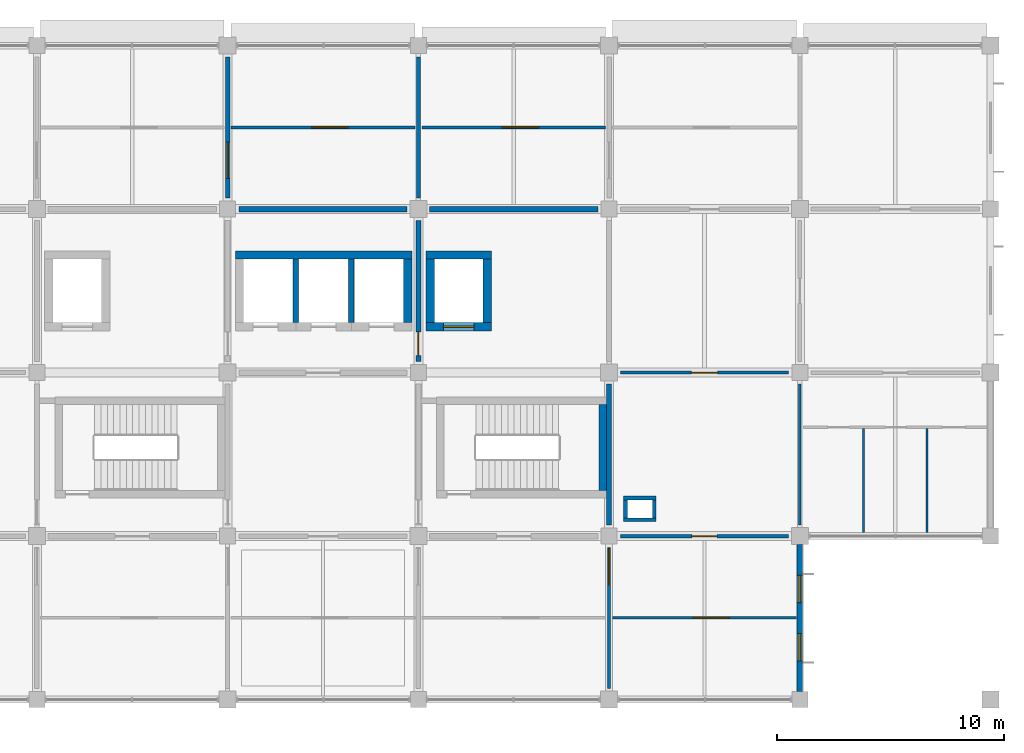
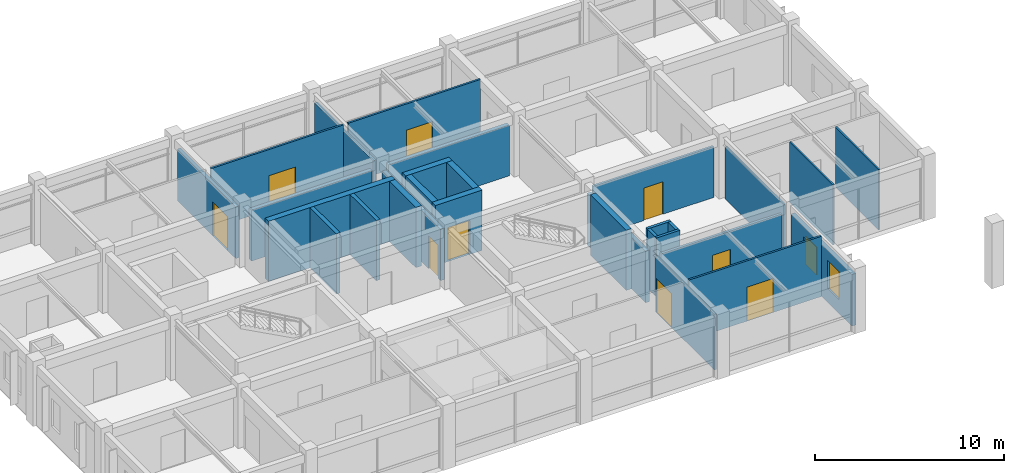
# One storey, part 10 of 13: 29 walls, 9 doors, 2 windows, 11 openings.
"""IFC4 building model written with IfcOpenShell, lengths in metres."""

from ifc_helpers import new_model, si_unit, derived_unit, direction, frame, frame_2d, origin, place, context, subcontext, project, spatial, rectangle, extrude, material, layer, layer_set, type_object, element, fill, save


model = new_model("IFC4")

# Units and contexts
model_context = context("Model", 3, precision=1e-05, world=origin(), true_north=direction((0.0, 1.0)))
body_context = subcontext(model_context, "Body", "Model", "MODEL_VIEW")
ifc_project = project(units=[si_unit("LENGTHUNIT", "METRE"), si_unit("AREAUNIT", "SQUARE_METRE"), si_unit("VOLUMEUNIT", "CUBIC_METRE"), si_unit("PLANEANGLEUNIT", "RADIAN"), si_unit("MASSUNIT", "GRAM", prefix="KILO"), derived_unit("THERMALTRANSMITTANCEUNIT", [(si_unit("MASSUNIT", "GRAM", prefix="KILO"), 1), (si_unit("TIMEUNIT", "SECOND"), -3), (si_unit("THERMODYNAMICTEMPERATUREUNIT", "KELVIN"), -1)])], contexts=[model_context])

# Site, building, storey
site_placement = place(None, origin())
site = spatial("IfcSite", under=ifc_project, at=site_placement, CompositionType="ELEMENT")
building_placement = place(site_placement, origin())
building = spatial("IfcBuilding", under=site, at=building_placement, Name="Veldstrom Oceanarium and Marine Research Institute", CompositionType="ELEMENT")
storey_placement = place(building_placement, frame((0.0, 0.0, 39.60009765625)))
storey = spatial("IfcBuildingStorey", under=building, at=storey_placement, Name="L08", CompositionType="ELEMENT", Elevation=39.60009765625)

# Wall, openings, windows
ifc_material_1 = material(Name="Masonry Cavity Wall", Category="masonry")
ifc_layer_1 = layer(ifc_material_1, 0.25)
ifc_layer_set_1 = layer_set([ifc_layer_1], Name="ARC-WAL-EW5")
wall_type_1 = type_object("IfcWallType", Name="ARC-WAL-EW5", PredefinedType="SOLIDWALL", material=ifc_layer_set_1)
wall_1_placement = place(storey_placement, frame((109.199951171875, 43.550048828125, 0.0), z_axis=(0.0, 0.0, 1.0), x_axis=(0.0, 1.0, 0.0)))
wall_1 = element("IfcWall", 1, at=wall_1_placement, inside=storey, type_object=wall_type_1, Name="Exterior Facade Wall EW5 L08-208", PredefinedType="SOLIDWALL", context=body_context, shape_type="SweptSolid", body=[
    extrude(rectangle(XDim=6.474853515625, YDim=0.25, at=frame_2d((3.2373046875, 0.0))), origin(), (0.0, 0.0, 1.0), 3.344970703125),
])
opening_1_placement = place(wall_1_placement, frame((1.3583984375, 0.0, 0.89990234375)))
opening_1 = element("IfcOpeningElement", 2, at=opening_1_placement, cuts=wall_1, Name="Opening W05", PredefinedType="OPENING", context=body_context, shape_type="SweptSolid", body=[
    extrude(rectangle(XDim=1.199951171875, YDim=1.800048828125, at=frame_2d((0.60009765625, 0.89990234375))), frame((0.0, 0.135009765625, 0.0), z_axis=(0.0, -1.0, 0.0), x_axis=(1.0, 0.0, 0.0)), (0.0, 0.0, 1.0), 0.27001953125),
])
opening_2_placement = place(wall_1_placement, frame((3.916748046875, 0.0, 0.89990234375)))
opening_2 = element("IfcOpeningElement", 3, at=opening_2_placement, cuts=wall_1, Name="Opening W05", PredefinedType="OPENING", context=body_context, shape_type="SweptSolid", body=[
    extrude(rectangle(XDim=1.199951171875, YDim=1.800048828125, at=frame_2d((0.60009765625, 0.89990234375))), frame((0.0, 0.135009765625, 0.0), z_axis=(0.0, -1.0, 0.0), x_axis=(1.0, 0.0, 0.0)), (0.0, 0.0, 1.0), 0.27001953125),
])
ifc_material_2 = material(Name="Double Glazed Low-E IGU", Category="glass")
window_type = type_object("IfcWindowType", Name="ARC-WIN-W05", PartitioningType="SINGLE_PANEL", PredefinedType="WINDOW", material=ifc_material_2)
window_1_placement = place(opening_1_placement, origin())
window_1 = element("IfcWindow", 4, at=window_1_placement, inside=storey, type_object=window_type, Name="Facade Window W05 L08-0183", OverallHeight=1.800048828125, OverallWidth=1.199951171875, PartitioningType="SINGLE_PANEL", PredefinedType="WINDOW", context=body_context, shape_type="SweptSolid", body=[
    extrude(rectangle(XDim=1.199951171875, YDim=1.800048828125, at=frame_2d((0.60009765625, 0.89990234375))), frame((0.0, 0.030029296875, 0.0), z_axis=(0.0, -1.0, 0.0), x_axis=(1.0, 0.0, 0.0)), (0.0, 0.0, 1.0), 0.06005859375),
])
fill(opening_1, window_1)
window_2_placement = place(opening_2_placement, origin())
window_2 = element("IfcWindow", 5, at=window_2_placement, inside=storey, type_object=window_type, Name="Facade Window W05 L08-0184", OverallHeight=1.800048828125, OverallWidth=1.199951171875, PartitioningType="SINGLE_PANEL", PredefinedType="WINDOW", context=body_context, shape_type="SweptSolid", body=[
    extrude(rectangle(XDim=1.199951171875, YDim=1.800048828125, at=frame_2d((0.60009765625, 0.89990234375))), frame((0.0, 0.030029296875, 0.0), z_axis=(0.0, -1.0, 0.0), x_axis=(1.0, 0.0, 0.0)), (0.0, 0.0, 1.0), 0.06005859375),
])
fill(opening_2, window_2)

# Wall, opening, door
ifc_material_3 = material(Name="Masonry Fire Compartment Wall", Category="masonry")
ifc_layer_2 = layer(ifc_material_3, 0.22998046875)
ifc_layer_set_2 = layer_set([ifc_layer_2], Name="ARC-WAL-PT1")
wall_type_2 = type_object("IfcWallType", Name="ARC-WAL-PT1", PredefinedType="PARTITIONING", material=ifc_layer_set_2)
wall_2_placement = place(storey_placement, frame((92.39990234375, 58.10009765625, 0.0), z_axis=(0.0, 0.0, 1.0), x_axis=(0.0, 1.0, 0.0)))
wall_2 = element("IfcWall", 6, at=wall_2_placement, inside=storey, type_object=wall_type_2, Name="Interior Partition PT1 L08-1584", PredefinedType="PARTITIONING", context=body_context, shape_type="SweptSolid", body=[
    extrude(rectangle(XDim=6.199951171875, YDim=0.22998046875, at=frame_2d((3.10009765625, 0.0))), origin(), (0.0, 0.0, 1.0), 3.344970703125),
])
opening_3_placement = place(wall_2_placement, frame((0.25, 0.0, 0.0)))
opening_3 = element("IfcOpeningElement", 7, at=opening_3_placement, cuts=wall_2, Name="Opening D-L08-964", PredefinedType="OPENING", context=body_context, shape_type="SweptSolid", body=[
    extrude(rectangle(XDim=1.050048828125, YDim=2.14990234375, at=frame_2d((0.52490234375, 1.074951171875))), frame((0.0, 0.125, 0.0), z_axis=(0.0, -1.0, 0.0), x_axis=(1.0, 0.0, 0.0)), (0.0, 0.0, 1.0), 0.25),
])
ifc_material_4 = material(Name="Painted Steel Fire Door", Category="steel")
door_type_1 = type_object("IfcDoorType", Name="ARC-DOR-SD1", OperationType="SINGLE_SWING_LEFT", PredefinedType="DOOR", material=ifc_material_4)
door_1_placement = place(opening_3_placement, frame((1.050048828125, 0.0, 0.0), z_axis=(0.0, 0.0, 1.0), x_axis=(-1.0, 0.0, 0.0)))
door_1 = element("IfcDoor", 8, at=door_1_placement, inside=storey, type_object=door_type_1, Name="Interior Door D-L08-964", OperationType="SINGLE_SWING_RIGHT", OverallHeight=2.14990234375, OverallWidth=1.050048828125, PredefinedType="DOOR", context=body_context, shape_type="SweptSolid", body=[
    extrude(rectangle(XDim=1.050048828125, YDim=2.14990234375, at=frame_2d((0.52490234375, 1.074951171875))), frame((0.0, 0.02490234375, 0.0), z_axis=(0.0, -1.0, 0.0), x_axis=(1.0, 0.0, 0.0)), (0.0, 0.0, 1.0), 0.050048828125),
])
fill(opening_3, door_1)

# Walls
wall_3_placement = place(storey_placement, frame((84.5, 64.800048828125, 0.0), z_axis=(0.0, 0.0, 1.0), x_axis=(1.0, 0.0, 0.0)))
element("IfcWall", 9, at=wall_3_placement, inside=storey, type_object=wall_type_2, Name="Interior Partition PT1 L08-1585", PredefinedType="PARTITIONING", context=body_context, shape_type="SweptSolid", body=[
    extrude(rectangle(XDim=7.39990234375, YDim=0.22998046875, at=frame_2d((3.699951171875, 0.0))), origin(), (0.0, 0.0, 1.0), 3.294921875),
])
wall_4_placement = place(storey_placement, frame((100.800048828125, 50.89990234375, 0.0), z_axis=(0.0, 0.0, 1.0), x_axis=(0.0, 1.0, 0.0)))
element("IfcWall", 10, at=wall_4_placement, inside=storey, type_object=wall_type_2, Name="Interior Partition PT1 L08-1589", PredefinedType="PARTITIONING", context=body_context, shape_type="SweptSolid", body=[
    extrude(rectangle(XDim=6.2001953125, YDim=0.22998046875, at=frame_2d((3.10009765625, 0.0))), origin(), (0.0, 0.0, 1.0), 3.344970703125),
])
wall_5_placement = place(storey_placement, frame((92.89990234375, 64.800048828125, 0.0), z_axis=(0.0, 0.0, 1.0), x_axis=(1.0, 0.0, 0.0)))
element("IfcWall", 11, at=wall_5_placement, inside=storey, type_object=wall_type_2, Name="Interior Partition PT1 L08-1592", PredefinedType="PARTITIONING", context=body_context, shape_type="SweptSolid", body=[
    extrude(rectangle(XDim=7.400146484375, YDim=0.22998046875, at=frame_2d((3.7001953125, 0.0))), origin(), (0.0, 0.0, 1.0), 3.294921875),
])

# Wall, opening, door
ifc_material_5 = material(Name="Gypsum Acoustic Lab Partition", Category="gypsum")
ifc_layer_3 = layer(ifc_material_5, 0.1201171875)
ifc_layer_set_3 = layer_set([ifc_layer_3], Name="ARC-WAL-PT10")
wall_type_3 = type_object("IfcWallType", Name="ARC-WAL-PT10", PredefinedType="PARTITIONING", material=ifc_layer_set_3)
wall_6_placement = place(storey_placement, frame((100.949951171875, 46.800048828125, 0.0), z_axis=(0.0, 0.0, 1.0), x_axis=(1.0, 0.0, 0.0)))
wall_6 = element("IfcWall", 12, at=wall_6_placement, inside=storey, type_object=wall_type_3, Name="Laboratory Suite Partition L08-12/6", PredefinedType="PARTITIONING", context=body_context, shape_type="SweptSolid", body=[
    extrude(rectangle(XDim=8.10009765625, YDim=0.1201171875, at=frame_2d((4.050048828125, 0.0))), origin(), (0.0, 0.0, 1.0), 3.89990234375),
])
opening_4_placement = place(wall_6_placement, frame((3.550048828125, 0.0, 0.0)))
opening_4 = element("IfcOpeningElement", 13, at=opening_4_placement, cuts=wall_6, Name="Opening D-L08-S944", PredefinedType="OPENING", context=body_context, shape_type="SweptSolid", body=[
    extrude(rectangle(XDim=1.60009765625, YDim=2.199951171875, at=frame_2d((0.800048828125, 1.10009765625))), frame((0.0, 0.070068359375, 0.0), z_axis=(0.0, -1.0, 0.0), x_axis=(1.0, 0.0, 0.0)), (0.0, 0.0, 1.0), 0.14013671875),
])
ifc_material_6 = material(Name="Acoustic Timber Corridor Door", Category="wood")
door_type_2 = type_object("IfcDoorType", Name="ARC-DOR-ID02", OperationType="DOUBLE_DOOR_SINGLE_SWING", PredefinedType="DOOR", material=ifc_material_6)
door_2_placement = place(opening_4_placement, frame((1.60009765625, 0.0, 0.0), z_axis=(0.0, 0.0, 1.0), x_axis=(-1.0, 0.0, 0.0)))
door_2 = element("IfcDoor", 14, at=door_2_placement, inside=storey, type_object=door_type_2, Name="Suite Interior Door D-L08-S944", OperationType="SINGLE_SWING_RIGHT", OverallHeight=2.199951171875, OverallWidth=1.60009765625, PredefinedType="DOOR", context=body_context, shape_type="SweptSolid", body=[
    extrude(rectangle(XDim=1.60009765625, YDim=2.199951171875, at=frame_2d((0.800048828125, 1.10009765625))), frame((0.0, 0.02490234375, 0.0), z_axis=(0.0, -1.0, 0.0), x_axis=(1.0, 0.0, 0.0)), (0.0, 0.0, 1.0), 0.050048828125),
])
fill(opening_4, door_2)

wall_7_placement = place(storey_placement, frame((84.14990234375, 68.39990234375, 0.0), z_axis=(0.0, 0.0, 1.0), x_axis=(1.0, 0.0, 0.0)))
wall_7 = element("IfcWall", 15, at=wall_7_placement, inside=storey, type_object=wall_type_3, Name="Laboratory Suite Partition L08-10/9", PredefinedType="PARTITIONING", context=body_context, shape_type="SweptSolid", body=[
    extrude(rectangle(XDim=8.10009765625, YDim=0.1201171875, at=frame_2d((4.050048828125, 0.0))), origin(), (0.0, 0.0, 1.0), 3.89990234375),
])
opening_5_placement = place(wall_7_placement, frame((3.550048828125, 0.0, 0.0)))
opening_5 = element("IfcOpeningElement", 16, at=opening_5_placement, cuts=wall_7, Name="Opening D-L08-S946", PredefinedType="OPENING", context=body_context, shape_type="SweptSolid", body=[
    extrude(rectangle(XDim=1.60009765625, YDim=2.199951171875, at=frame_2d((0.800048828125, 1.10009765625))), frame((0.0, 0.070068359375, 0.0), z_axis=(0.0, -1.0, 0.0), x_axis=(1.0, 0.0, 0.0)), (0.0, 0.0, 1.0), 0.14013671875),
])
door_3_placement = place(opening_5_placement, origin())
door_3 = element("IfcDoor", 17, at=door_3_placement, inside=storey, type_object=door_type_2, Name="Suite Interior Door D-L08-S946", OperationType="SINGLE_SWING_LEFT", OverallHeight=2.199951171875, OverallWidth=1.60009765625, PredefinedType="DOOR", context=body_context, shape_type="SweptSolid", body=[
    extrude(rectangle(XDim=1.60009765625, YDim=2.199951171875, at=frame_2d((0.800048828125, 1.10009765625))), frame((0.0, 0.02490234375, 0.0), z_axis=(0.0, -1.0, 0.0), x_axis=(1.0, 0.0, 0.0)), (0.0, 0.0, 1.0), 0.050048828125),
])
fill(opening_5, door_3)

wall_8_placement = place(storey_placement, frame((92.550048828125, 68.39990234375, 0.0), z_axis=(0.0, 0.0, 1.0), x_axis=(1.0, 0.0, 0.0)))
wall_8 = element("IfcWall", 18, at=wall_8_placement, inside=storey, type_object=wall_type_3, Name="Laboratory Suite Partition L08-11/9", PredefinedType="PARTITIONING", context=body_context, shape_type="SweptSolid", body=[
    extrude(rectangle(XDim=8.099853515625, YDim=0.1201171875, at=frame_2d((4.0498046875, 0.0))), origin(), (0.0, 0.0, 1.0), 3.89990234375),
])
opening_6_placement = place(wall_8_placement, frame((3.550048828125, 0.0, 0.0)))
opening_6 = element("IfcOpeningElement", 19, at=opening_6_placement, cuts=wall_8, Name="Opening D-L08-S947", PredefinedType="OPENING", context=body_context, shape_type="SweptSolid", body=[
    extrude(rectangle(XDim=1.60009765625, YDim=2.199951171875, at=frame_2d((0.800048828125, 1.10009765625))), frame((0.0, 0.070068359375, 0.0), z_axis=(0.0, -1.0, 0.0), x_axis=(1.0, 0.0, 0.0)), (0.0, 0.0, 1.0), 0.14013671875),
])
door_4_placement = place(opening_6_placement, origin())
door_4 = element("IfcDoor", 20, at=door_4_placement, inside=storey, type_object=door_type_2, Name="Suite Interior Door D-L08-S947", OperationType="SINGLE_SWING_RIGHT", OverallHeight=2.199951171875, OverallWidth=1.60009765625, PredefinedType="DOOR", context=body_context, shape_type="SweptSolid", body=[
    extrude(rectangle(XDim=1.60009765625, YDim=2.199951171875, at=frame_2d((0.800048828125, 1.10009765625))), frame((0.0, 0.02490234375, 0.0), z_axis=(0.0, -1.0, 0.0), x_axis=(1.0, 0.0, 0.0)), (0.0, 0.0, 1.0), 0.050048828125),
])
fill(opening_6, door_4)

ifc_material_7 = material(Name="Masonry Acoustic Lab Partition", Category="masonry")
ifc_layer_4 = layer(ifc_material_7, 0.205078125)
ifc_layer_set_4 = layer_set([ifc_layer_4], Name="ARC-WAL-PT2")
wall_type_4 = type_object("IfcWallType", Name="ARC-WAL-PT2", PredefinedType="PARTITIONING", material=ifc_layer_set_4)
wall_9_placement = place(storey_placement, frame((84.0, 65.300048828125, 0.0), z_axis=(0.0, 0.0, 1.0), x_axis=(0.0, 1.0, 0.0)))
wall_9 = element("IfcWall", 21, at=wall_9_placement, inside=storey, type_object=wall_type_4, Name="Interior Partition PT2 L08-1579", PredefinedType="PARTITIONING", context=body_context, shape_type="SweptSolid", body=[
    extrude(rectangle(XDim=6.199951171875, YDim=0.205078125, at=frame_2d((3.10009765625, 0.0))), origin(), (0.0, 0.0, 1.0), 3.344970703125),
])
opening_7_placement = place(wall_9_placement, frame((0.85009765625, 0.0, 0.0)))
opening_7 = element("IfcOpeningElement", 22, at=opening_7_placement, cuts=wall_9, Name="Opening D-L08-959", PredefinedType="OPENING", context=body_context, shape_type="SweptSolid", body=[
    extrude(rectangle(XDim=1.60009765625, YDim=2.199951171875, at=frame_2d((0.800048828125, 1.10009765625))), frame((0.0, 0.112548828125, 0.0), z_axis=(0.0, -1.0, 0.0), x_axis=(1.0, 0.0, 0.0)), (0.0, 0.0, 1.0), 0.22509765625),
])
door_5_placement = place(opening_7_placement, frame((1.60009765625, 0.0, 0.0), z_axis=(0.0, 0.0, 1.0), x_axis=(-1.0, 0.0, 0.0)))
door_5 = element("IfcDoor", 23, at=door_5_placement, inside=storey, type_object=door_type_2, Name="Interior Door D-L08-959", OperationType="DOUBLE_DOOR_SINGLE_SWING", OverallHeight=2.199951171875, OverallWidth=1.60009765625, PredefinedType="DOOR", context=body_context, shape_type="SweptSolid", body=[
    extrude(rectangle(XDim=1.60009765625, YDim=2.199951171875, at=frame_2d((0.800048828125, 1.10009765625))), frame((0.0, 0.02490234375, 0.0), z_axis=(0.0, -1.0, 0.0), x_axis=(1.0, 0.0, 0.0)), (0.0, 0.0, 1.0), 0.050048828125),
])
fill(opening_7, door_5)

# Wall
ifc_material_8 = material(Name="Drywall Acoustic Partition", Category="gypsum")
ifc_layer_5 = layer(ifc_material_8, 0.175048828125)
ifc_layer_set_5 = layer_set([ifc_layer_5], Name="ARC-WAL-PT3")
wall_type_5 = type_object("IfcWallType", Name="ARC-WAL-PT3", PredefinedType="PARTITIONING", material=ifc_layer_set_5)
wall_10_placement = place(storey_placement, frame((92.39990234375, 65.300048828125, 0.0), z_axis=(0.0, 0.0, 1.0), x_axis=(0.0, 1.0, 0.0)))
element("IfcWall", 24, at=wall_10_placement, inside=storey, type_object=wall_type_5, Name="Interior Partition PT3 L08-1586", PredefinedType="PARTITIONING", context=body_context, shape_type="SweptSolid", body=[
    extrude(rectangle(XDim=6.199951171875, YDim=0.175048828125, at=frame_2d((3.10009765625, 0.0))), origin(), (0.0, 0.0, 1.0), 3.39501953125),
])

# Wall, opening, door
ifc_material_9 = material(Name="Drywall Corridor Partition", Category="gypsum")
ifc_layer_6 = layer(ifc_material_9, 0.155029296875)
ifc_layer_set_6 = layer_set([ifc_layer_6], Name="ARC-WAL-PT4")
wall_type_6 = type_object("IfcWallType", Name="ARC-WAL-PT4", PredefinedType="PARTITIONING", material=ifc_layer_set_6)
wall_11_placement = place(storey_placement, frame((101.300048828125, 50.39990234375, 0.0), z_axis=(0.0, 0.0, 1.0), x_axis=(1.0, 0.0, 0.0)))
wall_11 = element("IfcWall", 25, at=wall_11_placement, inside=storey, type_object=wall_type_6, Name="Interior Partition PT4 L08-1594", PredefinedType="PARTITIONING", context=body_context, shape_type="SweptSolid", body=[
    extrude(rectangle(XDim=7.39990234375, YDim=0.155029296875, at=frame_2d((3.699951171875, 0.0))), origin(), (0.0, 0.0, 1.0), 3.294921875),
])
opening_8_placement = place(wall_11_placement, frame((3.14990234375, 0.0, 0.0)))
opening_8 = element("IfcOpeningElement", 26, at=opening_8_placement, cuts=wall_11, Name="Opening D-L08-968", PredefinedType="OPENING", context=body_context, shape_type="SweptSolid", body=[
    extrude(rectangle(XDim=1.10009765625, YDim=2.10009765625, at=frame_2d((0.550048828125, 1.050048828125))), frame((0.0, 0.08740234375, 0.0), z_axis=(0.0, -1.0, 0.0), x_axis=(1.0, 0.0, 0.0)), (0.0, 0.0, 1.0), 0.175048828125),
])
ifc_material_10 = material(Name="Research Office Door", Category="timber")
door_type_3 = type_object("IfcDoorType", Name="ARC-DOR-ID07", OperationType="SINGLE_SWING_LEFT", PredefinedType="DOOR", material=ifc_material_10)
door_6_placement = place(opening_8_placement, origin())
door_6 = element("IfcDoor", 27, at=door_6_placement, inside=storey, type_object=door_type_3, Name="Interior Door D-L08-968", OperationType="SINGLE_SWING_LEFT", OverallHeight=2.10009765625, OverallWidth=1.10009765625, PredefinedType="DOOR", context=body_context, shape_type="SweptSolid", body=[
    extrude(rectangle(XDim=1.10009765625, YDim=2.10009765625, at=frame_2d((0.550048828125, 1.050048828125))), frame((0.0, 0.02490234375, 0.0), z_axis=(0.0, -1.0, 0.0), x_axis=(1.0, 0.0, 0.0)), (0.0, 0.0, 1.0), 0.050048828125),
])
fill(opening_8, door_6)

ifc_material_11 = material(Name="Moisture-Resistant Wet-Area Partition", Category="masonry")
ifc_layer_7 = layer(ifc_material_11, 0.139892578125)
ifc_layer_set_7 = layer_set([ifc_layer_7], Name="ARC-WAL-PT5")
wall_type_7 = type_object("IfcWallType", Name="ARC-WAL-PT5", PredefinedType="PARTITIONING", material=ifc_layer_set_7)
wall_12_placement = place(storey_placement, frame((100.800048828125, 43.699951171875, 0.0), z_axis=(0.0, 0.0, 1.0), x_axis=(0.0, 1.0, 0.0)))
wall_12 = element("IfcWall", 28, at=wall_12_placement, inside=storey, type_object=wall_type_7, Name="Interior Partition PT5 L08-1587", PredefinedType="PARTITIONING", context=body_context, shape_type="SweptSolid", body=[
    extrude(rectangle(XDim=6.199951171875, YDim=0.139892578125, at=frame_2d((3.10009765625, 0.0))), origin(), (0.0, 0.0, 1.0), 3.60498046875),
])
opening_9_placement = place(wall_12_placement, frame((4.550048828125, 0.0, 0.0)))
opening_9 = element("IfcOpeningElement", 29, at=opening_9_placement, cuts=wall_12, Name="Opening D-L08-965", PredefinedType="OPENING", context=body_context, shape_type="SweptSolid", body=[
    extrude(rectangle(XDim=1.60009765625, YDim=2.199951171875, at=frame_2d((0.800048828125, 1.10009765625))), frame((0.0, 0.079833984375, 0.0), z_axis=(0.0, -1.0, 0.0), x_axis=(1.0, 0.0, 0.0)), (0.0, 0.0, 1.0), 0.159912109375),
])
door_7_placement = place(opening_9_placement, origin())
door_7 = element("IfcDoor", 30, at=door_7_placement, inside=storey, type_object=door_type_2, Name="Interior Door D-L08-965", OperationType="DOUBLE_DOOR_SINGLE_SWING", OverallHeight=2.199951171875, OverallWidth=1.60009765625, PredefinedType="DOOR", context=body_context, shape_type="SweptSolid", body=[
    extrude(rectangle(XDim=1.60009765625, YDim=2.199951171875, at=frame_2d((0.800048828125, 1.10009765625))), frame((0.0, 0.02490234375, 0.0), z_axis=(0.0, -1.0, 0.0), x_axis=(1.0, 0.0, 0.0)), (0.0, 0.0, 1.0), 0.050048828125),
])
fill(opening_9, door_7)

wall_13_placement = place(storey_placement, frame((101.300048828125, 57.60009765625, 0.0), z_axis=(0.0, 0.0, 1.0), x_axis=(1.0, 0.0, 0.0)))
wall_13 = element("IfcWall", 31, at=wall_13_placement, inside=storey, type_object=wall_type_7, Name="Interior Partition PT5 L08-1596", PredefinedType="PARTITIONING", context=body_context, shape_type="SweptSolid", body=[
    extrude(rectangle(XDim=7.39990234375, YDim=0.139892578125, at=frame_2d((3.699951171875, 0.0))), origin(), (0.0, 0.0, 1.0), 3.294921875),
])
opening_10_placement = place(wall_13_placement, frame((3.125, 0.0, 0.0)))
opening_10 = element("IfcOpeningElement", 32, at=opening_10_placement, cuts=wall_13, Name="Opening D-L08-969", PredefinedType="OPENING", context=body_context, shape_type="SweptSolid", body=[
    extrude(rectangle(XDim=1.14990234375, YDim=2.10009765625, at=frame_2d((0.574951171875, 1.050048828125))), frame((0.0, 0.079833984375, 0.0), z_axis=(0.0, -1.0, 0.0), x_axis=(1.0, 0.0, 0.0)), (0.0, 0.0, 1.0), 0.159912109375),
])
ifc_material_12 = material(Name="Fellows Studio Door", Category="timber")
door_type_4 = type_object("IfcDoorType", Name="ARC-DOR-ID17", OperationType="SINGLE_SWING_LEFT", PredefinedType="DOOR", material=ifc_material_12)
door_8_placement = place(opening_10_placement, frame((1.14990234375, 0.0, 0.0), z_axis=(0.0, 0.0, 1.0), x_axis=(-1.0, 0.0, 0.0)))
door_8 = element("IfcDoor", 33, at=door_8_placement, inside=storey, type_object=door_type_4, Name="Interior Door D-L08-969", OperationType="SINGLE_SWING_LEFT", OverallHeight=2.10009765625, OverallWidth=1.14990234375, PredefinedType="DOOR", context=body_context, shape_type="SweptSolid", body=[
    extrude(rectangle(XDim=1.14990234375, YDim=2.10009765625, at=frame_2d((0.574951171875, 1.050048828125))), frame((0.0, 0.02490234375, 0.0), z_axis=(0.0, -1.0, 0.0), x_axis=(1.0, 0.0, 0.0)), (0.0, 0.0, 1.0), 0.050048828125),
])
fill(opening_10, door_8)

# Walls
ifc_material_13 = material(Name="Lightweight Studio Partition", Category="gypsum")
ifc_layer_8 = layer(ifc_material_13, 0.1201171875)
ifc_layer_set_8 = layer_set([ifc_layer_8], Name="ARC-WAL-PT6")
wall_type_8 = type_object("IfcWallType", Name="ARC-WAL-PT6", PredefinedType="PARTITIONING", material=ifc_layer_set_8)
wall_14_placement = place(storey_placement, frame((109.199951171875, 50.89990234375, 0.0), z_axis=(0.0, 0.0, 1.0), x_axis=(0.0, 1.0, 0.0)))
element("IfcWall", 34, at=wall_14_placement, inside=storey, type_object=wall_type_8, Name="Interior Partition PT6 L08-1595", PredefinedType="PARTITIONING", context=body_context, shape_type="SweptSolid", body=[
    extrude(rectangle(XDim=6.2001953125, YDim=0.1201171875, at=frame_2d((3.10009765625, 0.0))), origin(), (0.0, 0.0, 1.0), 3.39501953125),
])
ifc_material_14 = material(Name="Sanitary Cubicle Partition", Category="gypsum")
ifc_layer_9 = layer(ifc_material_14, 0.10009765625)
ifc_layer_set_9 = layer_set([ifc_layer_9], Name="ARC-WAL-PT7")
wall_type_9 = type_object("IfcWallType", Name="ARC-WAL-PT7", PredefinedType="PARTITIONING", material=ifc_layer_set_9)
for number, where, z_axis, x_axis, name in (
    (35, (112.0, 50.550048828125, 0.0), (0.0, 0.0, 1.0), (0.0, 1.0, 0.0), "Sanitary Stall Divider Wall L08-1556"),
    (36, (114.800048828125, 50.550048828125, 0.0), (0.0, 0.0, 1.0), (0.0, 1.0, 0.0), "Sanitary Stall Divider Wall L08-1557"),
):
    element("IfcWall", number, at=place(storey_placement, frame(where, z_axis=z_axis, x_axis=x_axis)), inside=storey, type_object=wall_type_9, Name=name, PredefinedType="PARTITIONING", context=body_context, shape_type="SweptSolid", body=[
        extrude(rectangle(XDim=4.58984375, YDim=0.10009765625, at=frame_2d((2.294921875, 0.0))), origin(), (0.0, 0.0, 1.0), 3.89990234375),
    ])
ifc_material_15 = material(Name="Service Riser Fire Shaft Wall", Category="masonry")
ifc_layer_10 = layer(ifc_material_15, 0.1650390625)
ifc_layer_set_10 = layer_set([ifc_layer_10], Name="ARC-WAL-PT9")
wall_type_10 = type_object("IfcWallType", Name="ARC-WAL-PT9", PredefinedType="PARTITIONING", material=ifc_layer_set_10)
for number, where, z_axis, x_axis, name in (
    (37, (101.43505859375, 51.117431640625, 0.0), (0.0, 0.0, 1.0), (1.0, 0.0, 0.0), "Service Riser Fire Shaft Wall L08-CE-S"),
    (38, (101.43505859375, 52.08251953125, 0.0), (0.0, 0.0, 1.0), (1.0, 0.0, 0.0), "Service Riser Fire Shaft Wall L08-CE-N"),
):
    element("IfcWall", number, at=place(storey_placement, frame(where, z_axis=z_axis, x_axis=x_axis)), inside=storey, type_object=wall_type_10, Name=name, PredefinedType="PARTITIONING", context=body_context, shape_type="SweptSolid", body=[
        extrude(rectangle(XDim=1.429931640625, YDim=0.1650390625, at=frame_2d((0.71484375, 0.0))), origin(), (0.0, 0.0, 1.0), 3.849853515625),
    ])
for number, where, z_axis, x_axis, name in (
    (39, (101.517578125, 51.199951171875, 0.0), (0.0, 0.0, 1.0), (0.0, 1.0, 0.0), "Service Riser Fire Shaft Wall L08-CE-W"),
    (40, (102.782470703125, 51.199951171875, 0.0), (0.0, 0.0, 1.0), (0.0, 1.0, 0.0), "Service Riser Fire Shaft Wall L08-CE-E"),
):
    element("IfcWall", number, at=place(storey_placement, frame(where, z_axis=z_axis, x_axis=x_axis)), inside=storey, type_object=wall_type_10, Name=name, PredefinedType="PARTITIONING", context=body_context, shape_type="SweptSolid", body=[
        extrude(rectangle(XDim=0.800048828125, YDim=0.1650390625, at=frame_2d((0.39990234375, 0.0))), origin(), (0.0, 0.0, 1.0), 3.849853515625),
    ])
ifc_material_16 = material(Name="Concrete C40/50", Category="concrete")
ifc_layer_11 = layer(ifc_material_16, 0.360107421875)
ifc_layer_set_11 = layer_set([ifc_layer_11], Name="STR-WAL-WC2")
wall_type_11 = type_object("IfcWallType", Name="STR-WAL-WC2", PredefinedType="SHEAR", material=ifc_layer_set_11)
wall_15_placement = place(storey_placement, frame((84.340087890625, 62.780029296875, 0.0), z_axis=(0.0, 0.0, 1.0), x_axis=(1.0, 0.0, 0.0)))
element("IfcWall", 41, at=wall_15_placement, inside=storey, type_object=wall_type_11, Name="Lift Shaft Shear Wall N L08 10/8", PredefinedType="SHEAR", context=body_context, shape_type="SweptSolid", body=[
    extrude(rectangle(XDim=7.77001953125, YDim=0.360107421875, at=frame_2d((3.885009765625, 0.0))), origin(), (0.0, 0.0, 1.0), 3.89990234375),
])
wall_16_placement = place(storey_placement, frame((91.929931640625, 59.800048828125, 0.0), z_axis=(0.0, 0.0, 1.0), x_axis=(0.0, 1.0, 0.0)))
element("IfcWall", 42, at=wall_16_placement, inside=storey, type_object=wall_type_11, Name="Lift Shaft Shear Wall E L08 10/8", PredefinedType="SHEAR", context=body_context, shape_type="SweptSolid", body=[
    extrude(rectangle(XDim=2.800048828125, YDim=0.360107421875, at=frame_2d((1.39990234375, 0.0))), origin(), (0.0, 0.0, 1.0), 3.89990234375),
])
wall_17_placement = place(storey_placement, frame((92.739990234375, 62.780029296875, 0.0), z_axis=(0.0, 0.0, 1.0), x_axis=(1.0, 0.0, 0.0)))
element("IfcWall", 43, at=wall_17_placement, inside=storey, type_object=wall_type_11, Name="Lift Shaft Shear Wall N L08 11/8", PredefinedType="SHEAR", context=body_context, shape_type="SweptSolid", body=[
    extrude(rectangle(XDim=2.8701171875, YDim=0.360107421875, at=frame_2d((1.43505859375, 0.0))), origin(), (0.0, 0.0, 1.0), 3.89990234375),
])

# Wall, opening, door
wall_18_placement = place(storey_placement, frame((92.739990234375, 59.6201171875, 0.0), z_axis=(0.0, 0.0, 1.0), x_axis=(1.0, 0.0, 0.0)))
wall_18 = element("IfcWall", 44, at=wall_18_placement, inside=storey, type_object=wall_type_11, Name="Lift Shaft Front Shear Wall LF2 L08", PredefinedType="SHEAR", context=body_context, shape_type="SweptSolid", body=[
    extrude(rectangle(XDim=2.8701171875, YDim=0.360107421875, at=frame_2d((1.43505859375, 0.0))), origin(), (0.0, 0.0, 1.0), 3.89990234375),
])
opening_11_placement = place(wall_18_placement, frame((0.760009765625, 0.0, 0.0)))
opening_11 = element("IfcOpeningElement", 45, at=opening_11_placement, cuts=wall_18, Name="Opening LD-LF2-L08", PredefinedType="OPENING", context=body_context, shape_type="SweptSolid", body=[
    extrude(rectangle(XDim=1.35009765625, YDim=2.199951171875, at=frame_2d((0.675048828125, 1.10009765625))), frame((0.0, 0.18994140625, 0.0), z_axis=(0.0, -1.0, 0.0), x_axis=(1.0, 0.0, 0.0)), (0.0, 0.0, 1.0), 0.380126953125),
])
ifc_material_17 = material(Name="Stainless Steel Lift Landing Door", Category="steel")
door_type_5 = type_object("IfcDoorType", Name="ARC-DOR-LD3", OperationType="DOUBLE_DOOR_SLIDING", PredefinedType="DOOR", material=ifc_material_17)
door_9_placement = place(opening_11_placement, origin())
door_9 = element("IfcDoor", 46, at=door_9_placement, inside=storey, type_object=door_type_5, Name="Lift Landing Door LD-LF2-L08", OperationType="DOUBLE_DOOR_SLIDING", OverallHeight=2.199951171875, OverallWidth=1.35009765625, PredefinedType="DOOR", context=body_context, shape_type="SweptSolid", body=[
    extrude(rectangle(XDim=1.35009765625, YDim=2.199951171875, at=frame_2d((0.675048828125, 1.10009765625))), frame((0.0, 0.02490234375, 0.0), z_axis=(0.0, -1.0, 0.0), x_axis=(1.0, 0.0, 0.0)), (0.0, 0.0, 1.0), 0.050048828125),
])
fill(opening_11, door_9)

# Walls
for number, where, z_axis, x_axis, name in (
    (47, (92.919921875, 59.800048828125, 0.0), (0.0, 0.0, 1.0), (0.0, 1.0, 0.0), "Lift Shaft Shear Wall W L08 11/8"),
    (48, (95.429931640625, 59.800048828125, 0.0), (0.0, 0.0, 1.0), (0.0, 1.0, 0.0), "Lift Shaft Shear Wall E L08 11/8"),
):
    element("IfcWall", number, at=place(storey_placement, frame(where, z_axis=z_axis, x_axis=x_axis)), inside=storey, type_object=wall_type_11, Name=name, PredefinedType="SHEAR", context=body_context, shape_type="SweptSolid", body=[
        extrude(rectangle(XDim=2.800048828125, YDim=0.360107421875, at=frame_2d((1.39990234375, 0.0))), origin(), (0.0, 0.0, 1.0), 3.89990234375),
    ])
ifc_material_18 = material(Name="Concrete C40/50", Category="concrete")
ifc_layer_12 = layer(ifc_material_18, 0.320068359375)
ifc_layer_set_12 = layer_set([ifc_layer_12], Name="STR-WAL-WC3")
wall_type_12 = type_object("IfcWallType", Name="STR-WAL-WC3", PredefinedType="SHEAR", material=ifc_layer_set_12)
wall_19_placement = place(storey_placement, frame((100.52001953125, 52.39990234375, 0.0), z_axis=(0.0, 0.0, 1.0), x_axis=(0.0, 1.0, 0.0)))
element("IfcWall", 49, at=wall_19_placement, inside=storey, type_object=wall_type_12, Name="Stair Core Shear Wall SC2-L08-E", PredefinedType="SHEAR", context=body_context, shape_type="SweptSolid", body=[
    extrude(rectangle(XDim=3.800048828125, YDim=0.320068359375, at=frame_2d((1.89990234375, 0.0))), origin(), (0.0, 0.0, 1.0), 3.89990234375),
])
ifc_material_19 = material(Name="Concrete C40/50", Category="concrete")
ifc_layer_13 = layer(ifc_material_19, 0.239990234375)
ifc_layer_set_13 = layer_set([ifc_layer_13], Name="STR-WAL-WC4")
wall_type_13 = type_object("IfcWallType", Name="STR-WAL-WC4", PredefinedType="SHEAR", material=ifc_layer_set_13)
for number, where, z_axis, x_axis, name in (
    (50, (87.0, 59.800048828125, 0.0), (0.0, 0.0, 1.0), (0.0, 1.0, 0.0), "Lift Shaft Divider Wall L08 10/8-1"),
    (51, (89.449951171875, 59.800048828125, 0.0), (0.0, 0.0, 1.0), (0.0, 1.0, 0.0), "Lift Shaft Divider Wall L08 10/8-2"),
):
    element("IfcWall", number, at=place(storey_placement, frame(where, z_axis=z_axis, x_axis=x_axis)), inside=storey, type_object=wall_type_13, Name=name, PredefinedType="SHEAR", context=body_context, shape_type="SweptSolid", body=[
        extrude(rectangle(XDim=2.800048828125, YDim=0.239990234375, at=frame_2d((1.39990234375, 0.0))), origin(), (0.0, 0.0, 1.0), 3.89990234375),
    ])

save(model, "model.ifc")
